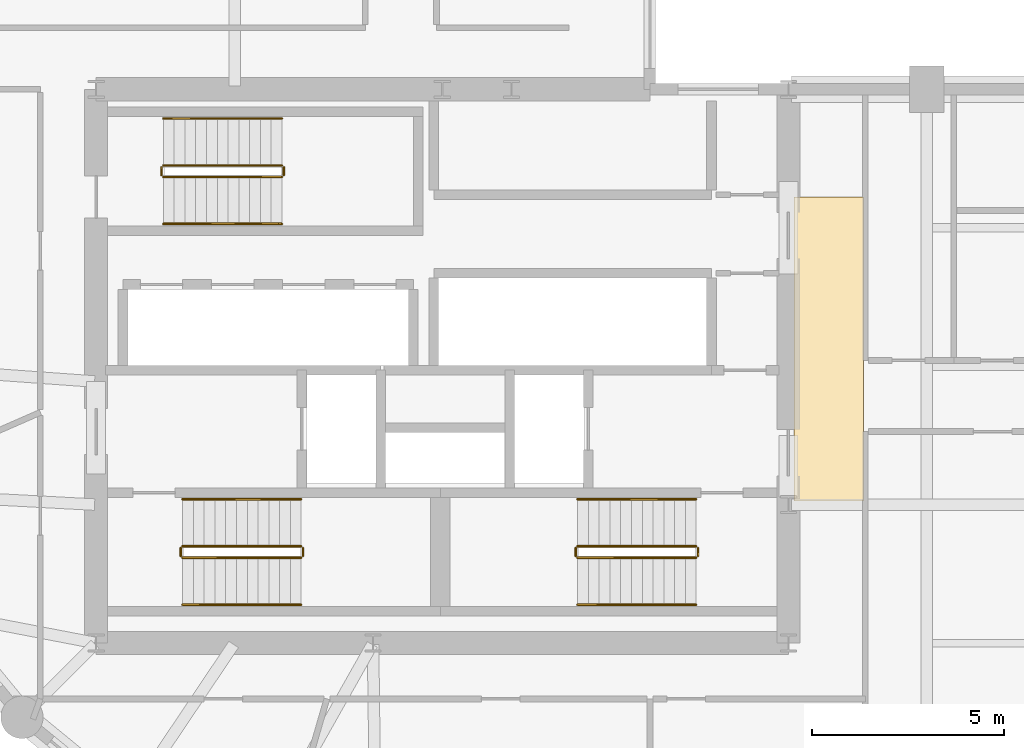
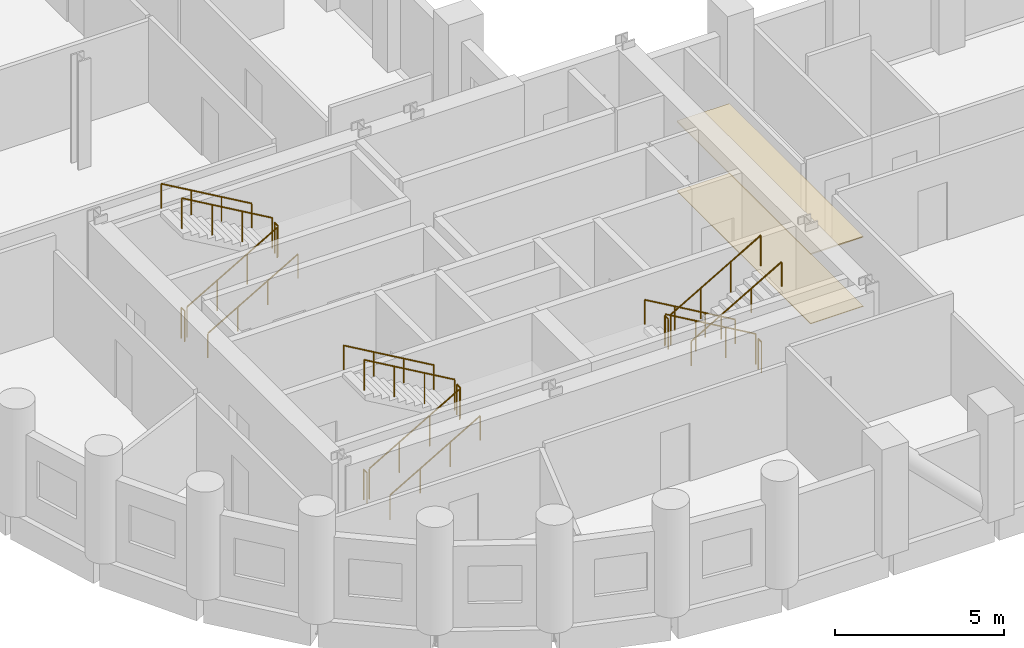
# One storey, part 8 of 8: 18 railings, 2 coverings.
"""IFC4 building model written with IfcOpenShell, lengths in metres."""

from ifc_helpers import new_model, si_unit, direction, frame, origin, origin_2d, place, context, subcontext, project, spatial, polyline, circle, outline, extrude, material, layer, layer_set, type_object, element, save


model = new_model("IFC4")

# Units and contexts
model_context = context("Model", 3, precision=1e-05, world=origin(), true_north=direction((0.0, 1.0)))
body_context = subcontext(model_context, "Body", "Model", "MODEL_VIEW")
ifc_project = project(units=[si_unit("LENGTHUNIT", "METRE"), si_unit("AREAUNIT", "SQUARE_METRE"), si_unit("VOLUMEUNIT", "CUBIC_METRE"), si_unit("PLANEANGLEUNIT", "RADIAN"), si_unit("MASSUNIT", "GRAM", prefix="KILO")], contexts=[model_context])

# Site, building, storey
site_placement = place(None, origin())
site = spatial("IfcSite", under=ifc_project, at=site_placement, CompositionType="ELEMENT")
building_placement = place(site_placement, origin())
building = spatial("IfcBuilding", under=site, at=building_placement, Name="Solnavia Interchange Tower", CompositionType="ELEMENT")
storey_placement = place(building_placement, frame((0.0, 0.0, 43.5)))
storey = spatial("IfcBuildingStorey", under=building, at=storey_placement, Name="L10", CompositionType="ELEMENT", Elevation=43.5)

# Coverings
ifc_material_1 = material(Name="Perforated Mineral-Fibre & Gypsum Ceiling", Category="gypsum")
ifc_layer_1 = layer(ifc_material_1, 0.0400390625)
ifc_layer_set_1 = layer_set([ifc_layer_1], Name="Perforated Mineral-Fibre & Gypsum Ceiling")
covering_type_1 = type_object("IfcCoveringType", Name="Covering-Ceiling-Acoustic40", PredefinedType="CEILING", material=ifc_layer_set_1)
covering_1_placement = place(storey_placement, frame((0.0, 0.0, 2.5)))
element("IfcCovering", 1, at=covering_1_placement, inside=storey, type_object=covering_type_1, Name="CLG-L10-01 Circulation suspended acoustic ceiling", PredefinedType="CEILING", context=body_context, shape_type="SweptSolid", body=[
    extrude(outline(polyline([(32.550048828125, 14.5), (34.35009765625, 14.5), (34.35009765625, 22.39990234375), (32.550048828125, 22.39990234375), (32.550048828125, 14.5)])), origin(), (0.0, 0.0, 1.0), 0.0400390625),
])
ifc_material_2 = material(Name="Polished Alicante Stone Terrazzo", Category="masonry")
ifc_layer_2 = layer(ifc_material_2, 0.02490234375)
ifc_layer_set_2 = layer_set([ifc_layer_2], Name="Polished Alicante Stone Terrazzo")
covering_type_2 = type_object("IfcCoveringType", Name="Covering-Flooring-Terrazzo25", PredefinedType="FLOORING", material=ifc_layer_set_2)
covering_2_placement = place(storey_placement, origin())
element("IfcCovering", 2, at=covering_2_placement, inside=storey, type_object=covering_type_2, Name="FLR-L10-01 Circulation floor finish", PredefinedType="FLOORING", context=body_context, shape_type="SweptSolid", body=[
    extrude(outline(polyline([(32.550048828125, 14.5), (34.35009765625, 14.5), (34.35009765625, 22.39990234375), (32.550048828125, 22.39990234375), (32.550048828125, 14.5)])), origin(), (0.0, 0.0, 1.0), 0.02490234375),
])

# Railings
ifc_material_3 = material(Name="Painted Steel Balustrade", Category="steel")
railing_type_1 = type_object("IfcRailingType", Name="Railing-StairGuard-1100", PredefinedType="GUARDRAIL", material=ifc_material_3)
railing_1_placement = place(storey_placement, frame((16.64990234375, 13.02001953125, 0.16259765625)))
element("IfcRailing", 3, at=railing_1_placement, inside=storey, type_object=railing_type_1, Name="L10 ST-1 stair guard 1", PredefinedType="GUARDRAIL", context=body_context, shape_type="SweptSolid", body=[
    extrude(circle(Radius=0.02392578125, at=origin_2d()), frame((0.0, 0.0, 1.09619140625), z_axis=(0.864920483161, 0.0, 0.501908913857), x_axis=(0.0, 1.0, 0.0)), (0.0, 0.0, 1.0), 3.56103515625),
    extrude(circle(Radius=0.02099609375, at=origin_2d()), origin(), (0.0, 0.0, 1.0), 1.072021484375),
    extrude(circle(Radius=0.02099609375, at=origin_2d()), frame((1.026611328125, 0.0, 0.595703125)), (0.0, 0.0, 1.0), 1.072021484375),
    extrude(circle(Radius=0.02099609375, at=origin_2d()), frame((2.053466796875, 0.0, 1.191650390625)), (0.0, 0.0, 1.0), 1.072021484375),
    extrude(circle(Radius=0.02099609375, at=origin_2d()), frame((3.080078125, 0.0, 1.787353515625)), (0.0, 0.0, 1.0), 1.072021484375),
])
railing_2_placement = place(storey_placement, frame((19.780029296875, 13.070068359375, 1.949951171875)))
element("IfcRailing", 4, at=railing_2_placement, inside=storey, type_object=railing_type_1, Name="L10 ST-1 stair guard 2", PredefinedType="GUARDRAIL", context=body_context, shape_type="SweptSolid", body=[
    extrude(circle(Radius=0.02392578125, at=origin_2d()), frame((0.0, 0.0, 1.09619140625), z_axis=(0.0, 1.0, 0.0), x_axis=(-1.0, 0.0, 0.0)), (0.0, 0.0, 1.0), 0.199951171875),
    extrude(circle(Radius=0.02099609375, at=origin_2d()), origin(), (0.0, 0.0, 1.0), 1.072021484375),
    extrude(circle(Radius=0.02099609375, at=origin_2d()), frame((0.0, 0.199951171875, 0.0)), (0.0, 0.0, 1.0), 1.072021484375),
])
railing_3_placement = place(storey_placement, frame((19.72998046875, 13.320068359375, 2.112548828125)))
element("IfcRailing", 5, at=railing_3_placement, inside=storey, type_object=railing_type_1, Name="L10 ST-1 stair guard 3", PredefinedType="GUARDRAIL", context=body_context, shape_type="SweptSolid", body=[
    extrude(circle(Radius=0.02392578125, at=origin_2d()), frame((0.0, 0.0, 1.09619140625), z_axis=(-0.864920483161, 0.0, 0.501908913857), x_axis=(0.0, -1.0, 0.0)), (0.0, 0.0, 1.0), 3.56103515625),
    extrude(circle(Radius=0.02099609375, at=origin_2d()), origin(), (0.0, 0.0, 1.0), 1.072021484375),
    extrude(circle(Radius=0.02099609375, at=origin_2d()), frame((-1.026611328125, 0.0, 0.595703125)), (0.0, 0.0, 1.0), 1.072021484375),
    extrude(circle(Radius=0.02099609375, at=origin_2d()), frame((-2.053466796875, 0.0, 1.191650390625)), (0.0, 0.0, 1.0), 1.072021484375),
    extrude(circle(Radius=0.02099609375, at=origin_2d()), frame((-3.080078125, 0.0, 1.787353515625)), (0.0, 0.0, 1.0), 1.072021484375),
])
railing_4_placement = place(storey_placement, frame((16.60009765625, 13.070068359375, 0.0)))
element("IfcRailing", 6, at=railing_4_placement, inside=storey, type_object=railing_type_1, Name="L10 ST-1 stair guard 4", PredefinedType="GUARDRAIL", context=body_context, shape_type="SweptSolid", body=[
    extrude(circle(Radius=0.02392578125, at=origin_2d()), frame((0.0, 0.0, 1.09619140625), z_axis=(0.0, 1.0, 0.0), x_axis=(-1.0, 0.0, 0.0)), (0.0, 0.0, 1.0), 0.199951171875),
    extrude(circle(Radius=0.02099609375, at=origin_2d()), origin(), (0.0, 0.0, 1.0), 1.072021484375),
    extrude(circle(Radius=0.02099609375, at=origin_2d()), frame((0.0, 0.199951171875, 0.0)), (0.0, 0.0, 1.0), 1.072021484375),
])
railing_5_placement = place(storey_placement, frame((30.0, 13.320068359375, 0.16259765625)))
element("IfcRailing", 7, at=railing_5_placement, inside=storey, type_object=railing_type_1, Name="L10 ST-2 stair guard 1", PredefinedType="GUARDRAIL", context=body_context, shape_type="SweptSolid", body=[
    extrude(circle(Radius=0.02392578125, at=origin_2d()), frame((0.0, 0.0, 1.09619140625), z_axis=(-0.864920483161, 0.0, 0.501908913857), x_axis=(0.0, -1.0, 0.0)), (0.0, 0.0, 1.0), 3.56103515625),
    extrude(circle(Radius=0.02099609375, at=origin_2d()), origin(), (0.0, 0.0, 1.0), 1.072021484375),
    extrude(circle(Radius=0.02099609375, at=origin_2d()), frame((-1.026611328125, 0.0, 0.595703125)), (0.0, 0.0, 1.0), 1.072021484375),
    extrude(circle(Radius=0.02099609375, at=origin_2d()), frame((-2.053466796875, 0.0, 1.191650390625)), (0.0, 0.0, 1.0), 1.072021484375),
    extrude(circle(Radius=0.02099609375, at=origin_2d()), frame((-3.080078125, 0.0, 1.787353515625)), (0.0, 0.0, 1.0), 1.072021484375),
])
railing_6_placement = place(storey_placement, frame((26.8701171875, 13.27001953125, 1.949951171875)))
element("IfcRailing", 8, at=railing_6_placement, inside=storey, type_object=railing_type_1, Name="L10 ST-2 stair guard 2", PredefinedType="GUARDRAIL", context=body_context, shape_type="SweptSolid", body=[
    extrude(circle(Radius=0.02392578125, at=origin_2d()), frame((0.0, 0.0, 1.09619140625), z_axis=(0.0, -1.0, 0.0), x_axis=(1.0, 0.0, 0.0)), (0.0, 0.0, 1.0), 0.199951171875),
    extrude(circle(Radius=0.02099609375, at=origin_2d()), origin(), (0.0, 0.0, 1.0), 1.072021484375),
    extrude(circle(Radius=0.02099609375, at=origin_2d()), frame((0.0, -0.199951171875, 0.0)), (0.0, 0.0, 1.0), 1.072021484375),
])
railing_7_placement = place(storey_placement, frame((26.919921875, 13.02001953125, 2.112548828125)))
element("IfcRailing", 9, at=railing_7_placement, inside=storey, type_object=railing_type_1, Name="L10 ST-2 stair guard 3", PredefinedType="GUARDRAIL", context=body_context, shape_type="SweptSolid", body=[
    extrude(circle(Radius=0.02392578125, at=origin_2d()), frame((0.0, 0.0, 1.09619140625), z_axis=(0.864920483161, 0.0, 0.501908913857), x_axis=(0.0, 1.0, 0.0)), (0.0, 0.0, 1.0), 3.56103515625),
    extrude(circle(Radius=0.02099609375, at=origin_2d()), origin(), (0.0, 0.0, 1.0), 1.072021484375),
    extrude(circle(Radius=0.02099609375, at=origin_2d()), frame((1.026611328125, 0.0, 0.595703125)), (0.0, 0.0, 1.0), 1.072021484375),
    extrude(circle(Radius=0.02099609375, at=origin_2d()), frame((2.053466796875, 0.0, 1.191650390625)), (0.0, 0.0, 1.0), 1.072021484375),
    extrude(circle(Radius=0.02099609375, at=origin_2d()), frame((3.080078125, 0.0, 1.787353515625)), (0.0, 0.0, 1.0), 1.072021484375),
])
railing_8_placement = place(storey_placement, frame((30.050048828125, 13.27001953125, 0.0)))
element("IfcRailing", 10, at=railing_8_placement, inside=storey, type_object=railing_type_1, Name="L10 ST-2 stair guard 4", PredefinedType="GUARDRAIL", context=body_context, shape_type="SweptSolid", body=[
    extrude(circle(Radius=0.02392578125, at=origin_2d()), frame((0.0, 0.0, 1.09619140625), z_axis=(0.0, -1.0, 0.0), x_axis=(1.0, 0.0, 0.0)), (0.0, 0.0, 1.0), 0.199951171875),
    extrude(circle(Radius=0.02099609375, at=origin_2d()), origin(), (0.0, 0.0, 1.0), 1.072021484375),
    extrude(circle(Radius=0.02099609375, at=origin_2d()), frame((0.0, -0.199951171875, 0.0)), (0.0, 0.0, 1.0), 1.072021484375),
])
railing_9_placement = place(storey_placement, frame((16.14990234375, 22.919921875, 0.16259765625)))
element("IfcRailing", 11, at=railing_9_placement, inside=storey, type_object=railing_type_1, Name="L10 ST-3 stair guard 1", PredefinedType="GUARDRAIL", context=body_context, shape_type="SweptSolid", body=[
    extrude(circle(Radius=0.02392578125, at=origin_2d()), frame((0.0, 0.0, 1.09619140625), z_axis=(0.864920483161, 0.0, 0.501908913857), x_axis=(0.0, 1.0, 0.0)), (0.0, 0.0, 1.0), 3.56103515625),
    extrude(circle(Radius=0.02099609375, at=origin_2d()), origin(), (0.0, 0.0, 1.0), 1.072021484375),
    extrude(circle(Radius=0.02099609375, at=origin_2d()), frame((1.026611328125, 0.0, 0.595703125)), (0.0, 0.0, 1.0), 1.072021484375),
    extrude(circle(Radius=0.02099609375, at=origin_2d()), frame((2.053466796875, 0.0, 1.191650390625)), (0.0, 0.0, 1.0), 1.072021484375),
    extrude(circle(Radius=0.02099609375, at=origin_2d()), frame((3.080078125, 0.0, 1.787353515625)), (0.0, 0.0, 1.0), 1.072021484375),
])
railing_10_placement = place(storey_placement, frame((19.280029296875, 22.969970703125, 1.949951171875)))
element("IfcRailing", 12, at=railing_10_placement, inside=storey, type_object=railing_type_1, Name="L10 ST-3 stair guard 2", PredefinedType="GUARDRAIL", context=body_context, shape_type="SweptSolid", body=[
    extrude(circle(Radius=0.02392578125, at=origin_2d()), frame((0.0, 0.0, 1.09619140625), z_axis=(0.0, 1.0, 0.0), x_axis=(-1.0, 0.0, 0.0)), (0.0, 0.0, 1.0), 0.199951171875),
    extrude(circle(Radius=0.02099609375, at=origin_2d()), origin(), (0.0, 0.0, 1.0), 1.072021484375),
    extrude(circle(Radius=0.02099609375, at=origin_2d()), frame((0.0, 0.199951171875, 0.0)), (0.0, 0.0, 1.0), 1.072021484375),
])
railing_11_placement = place(storey_placement, frame((19.22998046875, 23.219970703125, 2.112548828125)))
element("IfcRailing", 13, at=railing_11_placement, inside=storey, type_object=railing_type_1, Name="L10 ST-3 stair guard 3", PredefinedType="GUARDRAIL", context=body_context, shape_type="SweptSolid", body=[
    extrude(circle(Radius=0.02392578125, at=origin_2d()), frame((0.0, 0.0, 1.09619140625), z_axis=(-0.864920483161, 0.0, 0.501908913857), x_axis=(0.0, -1.0, 0.0)), (0.0, 0.0, 1.0), 3.56103515625),
    extrude(circle(Radius=0.02099609375, at=origin_2d()), origin(), (0.0, 0.0, 1.0), 1.072021484375),
    extrude(circle(Radius=0.02099609375, at=origin_2d()), frame((-1.026611328125, 0.0, 0.595703125)), (0.0, 0.0, 1.0), 1.072021484375),
    extrude(circle(Radius=0.02099609375, at=origin_2d()), frame((-2.053466796875, 0.0, 1.191650390625)), (0.0, 0.0, 1.0), 1.072021484375),
    extrude(circle(Radius=0.02099609375, at=origin_2d()), frame((-3.080078125, 0.0, 1.787353515625)), (0.0, 0.0, 1.0), 1.072021484375),
])
railing_12_placement = place(storey_placement, frame((16.10009765625, 22.969970703125, 0.0)))
element("IfcRailing", 14, at=railing_12_placement, inside=storey, type_object=railing_type_1, Name="L10 ST-3 stair guard 4", PredefinedType="GUARDRAIL", context=body_context, shape_type="SweptSolid", body=[
    extrude(circle(Radius=0.02392578125, at=origin_2d()), frame((0.0, 0.0, 1.09619140625), z_axis=(0.0, 1.0, 0.0), x_axis=(-1.0, 0.0, 0.0)), (0.0, 0.0, 1.0), 0.199951171875),
    extrude(circle(Radius=0.02099609375, at=origin_2d()), origin(), (0.0, 0.0, 1.0), 1.072021484375),
    extrude(circle(Radius=0.02099609375, at=origin_2d()), frame((0.0, 0.199951171875, 0.0)), (0.0, 0.0, 1.0), 1.072021484375),
])
ifc_material_4 = material(Name="Brushed Stainless Steel", Category="steel")
railing_type_2 = type_object("IfcRailingType", Name="Railing-StairHandrail-900", PredefinedType="HANDRAIL", material=ifc_material_4)
railing_13_placement = place(storey_placement, frame((16.64990234375, 11.800048828125, 0.16259765625)))
element("IfcRailing", 15, at=railing_13_placement, inside=storey, type_object=railing_type_2, Name="L10 ST-1 stair handrail 1", PredefinedType="HANDRAIL", context=body_context, shape_type="SweptSolid", body=[
    extrude(circle(Radius=0.02392578125, at=origin_2d()), frame((0.0, 0.0, 0.8759765625), z_axis=(0.864920483161, 0.0, 0.501908913857), x_axis=(0.0, 1.0, 0.0)), (0.0, 0.0, 1.0), 3.56103515625),
    extrude(circle(Radius=0.02099609375, at=origin_2d()), origin(), (0.0, 0.0, 1.0), 0.851806640625),
    extrude(circle(Radius=0.02099609375, at=origin_2d()), frame((1.026611328125, 0.0, 0.595703125)), (0.0, 0.0, 1.0), 0.851806640625),
    extrude(circle(Radius=0.02099609375, at=origin_2d()), frame((2.053466796875, 0.0, 1.191650390625)), (0.0, 0.0, 1.0), 0.851806640625),
    extrude(circle(Radius=0.02099609375, at=origin_2d()), frame((3.080078125, 0.0, 1.787353515625)), (0.0, 0.0, 1.0), 0.851806640625),
])
for number, where, name in (
    (16, (19.72998046875, 14.5400390625, 2.112548828125), "L10 ST-1 stair handrail 2"),
    (17, (30.0, 14.5400390625, 0.16259765625), "L10 ST-2 stair handrail 1"),
):
    element("IfcRailing", number, at=place(storey_placement, frame(where)), inside=storey, type_object=railing_type_2, Name=name, PredefinedType="HANDRAIL", context=body_context, shape_type="SweptSolid", body=[
        extrude(circle(Radius=0.02392578125, at=origin_2d()), frame((0.0, 0.0, 0.8759765625), z_axis=(-0.864920483161, 0.0, 0.501908913857), x_axis=(0.0, -1.0, 0.0)), (0.0, 0.0, 1.0), 3.56103515625),
        extrude(circle(Radius=0.02099609375, at=origin_2d()), origin(), (0.0, 0.0, 1.0), 0.851806640625),
        extrude(circle(Radius=0.02099609375, at=origin_2d()), frame((-1.026611328125, 0.0, 0.595703125)), (0.0, 0.0, 1.0), 0.851806640625),
        extrude(circle(Radius=0.02099609375, at=origin_2d()), frame((-2.053466796875, 0.0, 1.191650390625)), (0.0, 0.0, 1.0), 0.851806640625),
        extrude(circle(Radius=0.02099609375, at=origin_2d()), frame((-3.080078125, 0.0, 1.787353515625)), (0.0, 0.0, 1.0), 0.851806640625),
    ])
for number, where, name in (
    (18, (26.919921875, 11.800048828125, 2.112548828125), "L10 ST-2 stair handrail 2"),
    (19, (16.14990234375, 21.699951171875, 0.16259765625), "L10 ST-3 stair handrail 1"),
):
    element("IfcRailing", number, at=place(storey_placement, frame(where)), inside=storey, type_object=railing_type_2, Name=name, PredefinedType="HANDRAIL", context=body_context, shape_type="SweptSolid", body=[
        extrude(circle(Radius=0.02392578125, at=origin_2d()), frame((0.0, 0.0, 0.8759765625), z_axis=(0.864920483161, 0.0, 0.501908913857), x_axis=(0.0, 1.0, 0.0)), (0.0, 0.0, 1.0), 3.56103515625),
        extrude(circle(Radius=0.02099609375, at=origin_2d()), origin(), (0.0, 0.0, 1.0), 0.851806640625),
        extrude(circle(Radius=0.02099609375, at=origin_2d()), frame((1.026611328125, 0.0, 0.595703125)), (0.0, 0.0, 1.0), 0.851806640625),
        extrude(circle(Radius=0.02099609375, at=origin_2d()), frame((2.053466796875, 0.0, 1.191650390625)), (0.0, 0.0, 1.0), 0.851806640625),
        extrude(circle(Radius=0.02099609375, at=origin_2d()), frame((3.080078125, 0.0, 1.787353515625)), (0.0, 0.0, 1.0), 0.851806640625),
    ])
railing_14_placement = place(storey_placement, frame((19.22998046875, 24.43994140625, 2.112548828125)))
element("IfcRailing", 20, at=railing_14_placement, inside=storey, type_object=railing_type_2, Name="L10 ST-3 stair handrail 2", PredefinedType="HANDRAIL", context=body_context, shape_type="SweptSolid", body=[
    extrude(circle(Radius=0.02392578125, at=origin_2d()), frame((0.0, 0.0, 0.8759765625), z_axis=(-0.864920483161, 0.0, 0.501908913857), x_axis=(0.0, -1.0, 0.0)), (0.0, 0.0, 1.0), 3.56103515625),
    extrude(circle(Radius=0.02099609375, at=origin_2d()), origin(), (0.0, 0.0, 1.0), 0.851806640625),
    extrude(circle(Radius=0.02099609375, at=origin_2d()), frame((-1.026611328125, 0.0, 0.595703125)), (0.0, 0.0, 1.0), 0.851806640625),
    extrude(circle(Radius=0.02099609375, at=origin_2d()), frame((-2.053466796875, 0.0, 1.191650390625)), (0.0, 0.0, 1.0), 0.851806640625),
    extrude(circle(Radius=0.02099609375, at=origin_2d()), frame((-3.080078125, 0.0, 1.787353515625)), (0.0, 0.0, 1.0), 0.851806640625),
])

save(model, "model.ifc")
